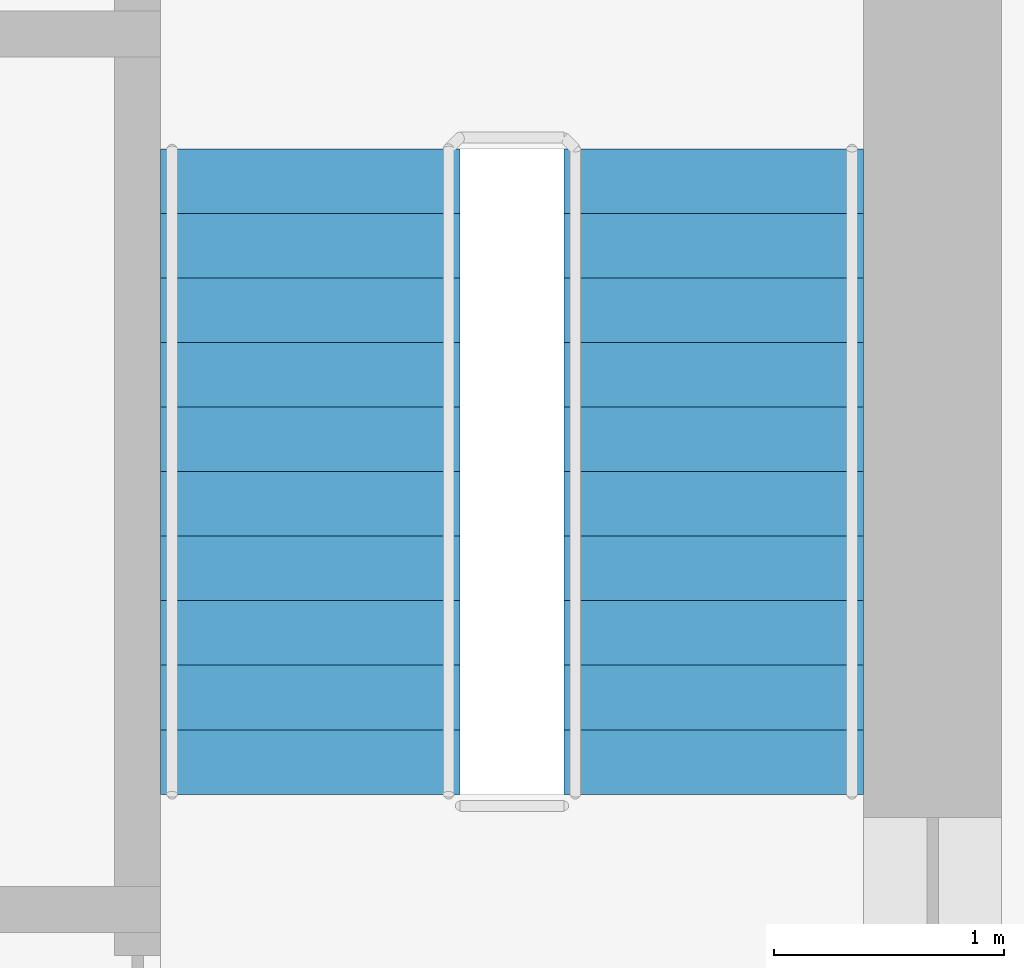
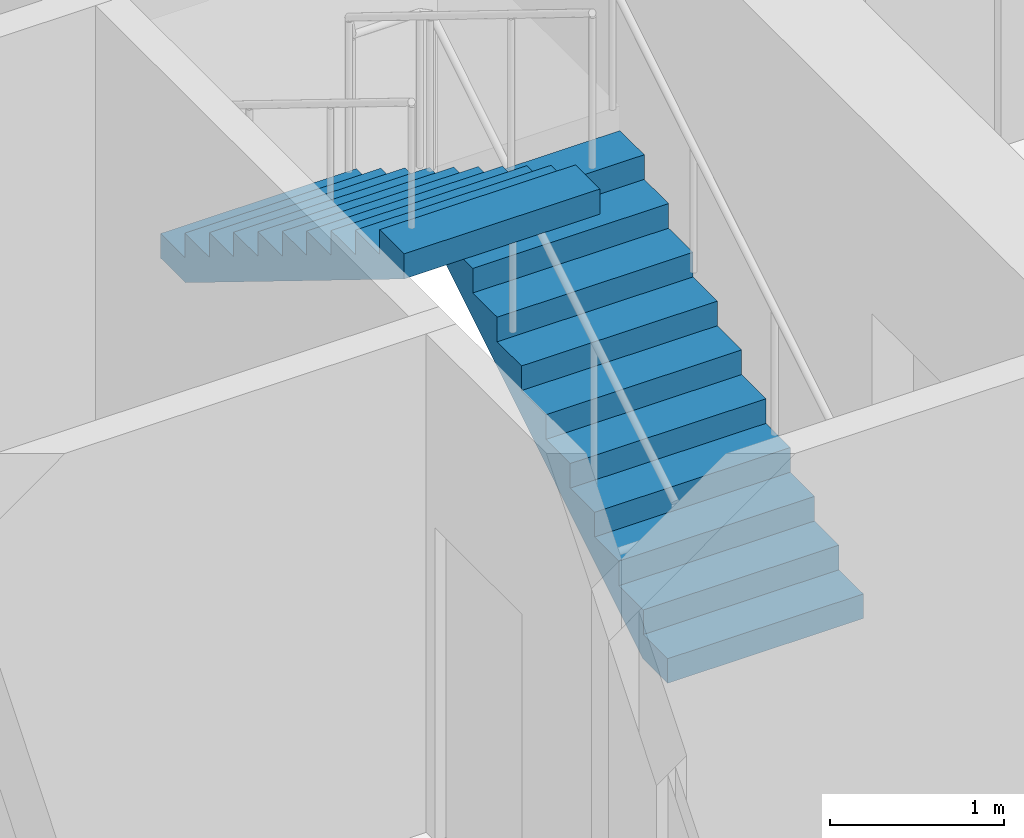
# One storey, part 8 of 12: 2 stair flights, 1 element without a shape of its own.
"""IFC4 building model written with IfcOpenShell, lengths in metres."""

from ifc_helpers import new_model, si_unit, direction, frame, origin, place, context, subcontext, project, spatial, polyline, outline, extrude, material, type_object, element, aggregate, save


model = new_model("IFC4")

# Units and contexts
model_context = context("Model", 3, precision=1e-05, world=origin(), true_north=direction((0.0, 1.0)))
body_context = subcontext(model_context, "Body", "Model", "MODEL_VIEW")
ifc_project = project(units=[si_unit("LENGTHUNIT", "METRE"), si_unit("AREAUNIT", "SQUARE_METRE"), si_unit("VOLUMEUNIT", "CUBIC_METRE"), si_unit("PLANEANGLEUNIT", "RADIAN"), si_unit("MASSUNIT", "GRAM", prefix="KILO")], contexts=[model_context])

# Site, building, storey
site_placement = place(None, origin())
site = spatial("IfcSite", under=ifc_project, at=site_placement, CompositionType="ELEMENT")
building_placement = place(site_placement, origin())
building = spatial("IfcBuilding", under=site, at=building_placement, Name="Orbiselva Terraces", CompositionType="ELEMENT")
storey_placement = place(building_placement, frame((0.0, 0.0, 207.2)))
storey = spatial("IfcBuildingStorey", under=building, at=storey_placement, Name="L52", CompositionType="ELEMENT", Elevation=207.2)

# Stair, stair flights
ifc_material = material(Name="Concrete C40/50", Category="concrete")
stair_type = type_object("IfcStairType", Name="CORE-STAIR-1300", PredefinedType="HALF_TURN_STAIR", material=ifc_material)
stair_placement = place(storey_placement, origin())
stair = element("IfcStair", 1, at=stair_placement, inside=storey, type_object=stair_type, Name="L52 Exit Stair S2", PredefinedType="HALF_TURN_STAIR")
stair_flight_type = type_object("IfcStairFlightType", Name="CORE-STAIR-FLIGHT-1300", PredefinedType="STRAIGHT", material=ifc_material)
stair_flight_1_placement = place(storey_placement, frame((12.25, 12.7, 0.0), z_axis=(0.0, 0.0, 1.0), x_axis=(0.0, 1.0, 0.0)))
stair_flight_1 = element("IfcStairFlight", 2, at=stair_flight_1_placement, type_object=stair_flight_type, Name="S2 flight 1", NumberOfRisers=11, NumberOfTreads=10, PredefinedType="STRAIGHT", RiserHeight=0.172727273, TreadLength=0.28, context=body_context, shape_type="SweptSolid", body=[
    extrude(outline(polyline([(0.0, 0.0), (0.0, 0.172727), (0.28, 0.172727), (0.28, 0.345455), (0.56, 0.345455), (0.56, 0.518182), (0.84, 0.518182), (0.84, 0.690909), (1.12, 0.690909), (1.12, 0.863636), (1.4, 0.863636), (1.4, 1.036364), (1.68, 1.036364), (1.68, 1.209091), (1.96, 1.209091), (1.96, 1.381818), (2.24, 1.381818), (2.24, 1.554545), (2.52, 1.554545), (2.52, 1.727273), (2.8, 1.727273), (2.8, 1.9), (2.8, 1.551028), (0.285702, 0.0), (0.0, 0.0)])), frame((0.0, 0.65, 0.0), z_axis=(0.0, -1.0, 0.0), x_axis=(1.0, 0.0, 0.0)), (0.0, 0.0, 1.0), 1.3),
])
stair_flight_2_placement = place(storey_placement, frame((10.5, 15.5, 1.9), z_axis=(0.0, 0.0, 1.0), x_axis=(0.0, -1.0, 0.0)))
stair_flight_2 = element("IfcStairFlight", 3, at=stair_flight_2_placement, type_object=stair_flight_type, Name="S2 flight 2", NumberOfRisers=11, NumberOfTreads=10, PredefinedType="STRAIGHT", RiserHeight=0.172727273, TreadLength=0.28, context=body_context, shape_type="SweptSolid", body=[
    extrude(outline(polyline([(0.0, 0.0), (0.0, 0.172727), (0.28, 0.172727), (0.28, 0.345455), (0.56, 0.345455), (0.56, 0.518182), (0.84, 0.518182), (0.84, 0.690909), (1.12, 0.690909), (1.12, 0.863636), (1.4, 0.863636), (1.4, 1.036364), (1.68, 1.036364), (1.68, 1.209091), (1.96, 1.209091), (1.96, 1.381818), (2.24, 1.381818), (2.24, 1.554545), (2.52, 1.554545), (2.52, 1.727273), (2.8, 1.727273), (2.8, 1.9), (2.8, 1.551028), (0.285702, 0.0), (0.0, 0.0)])), frame((0.0, 0.65, 0.0), z_axis=(0.0, -1.0, 0.0), x_axis=(1.0, 0.0, 0.0)), (0.0, 0.0, 1.0), 1.3),
])
aggregate(stair, [stair_flight_1, stair_flight_2])

save(model, "model.ifc")
